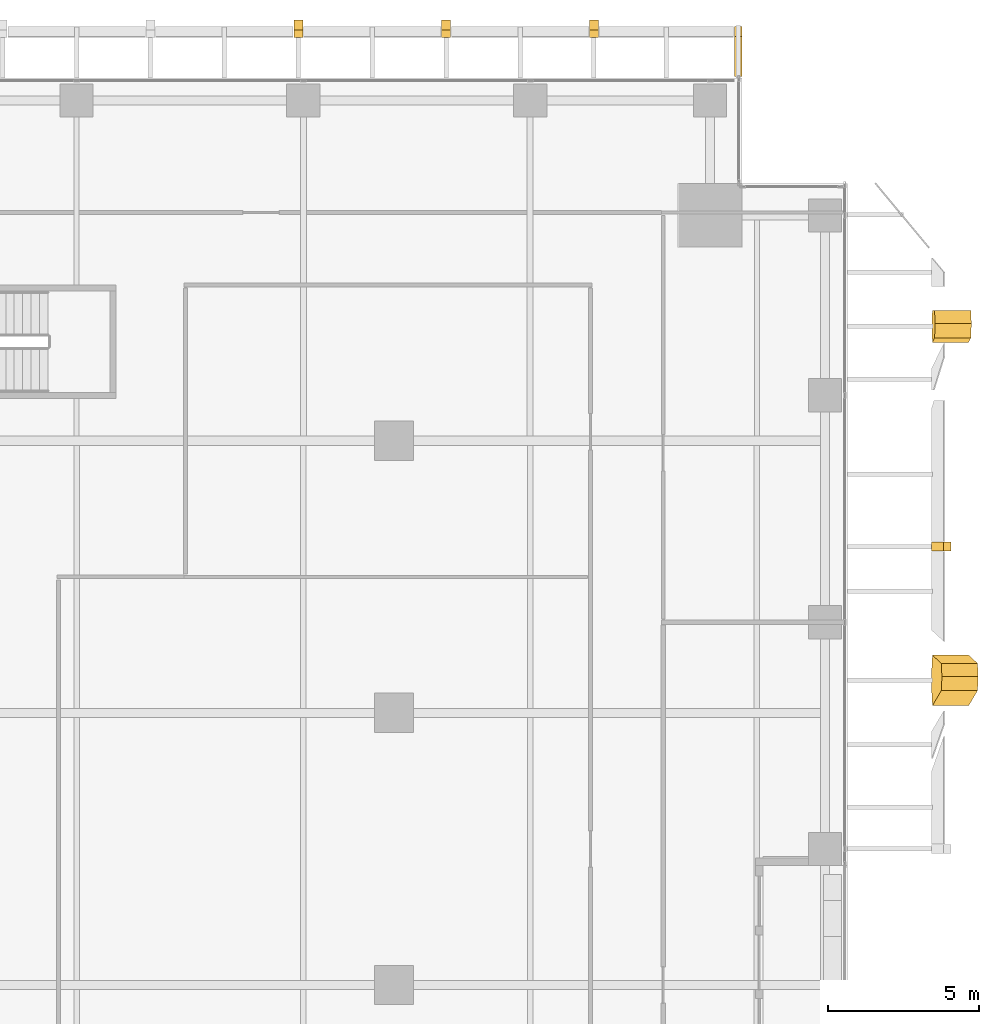
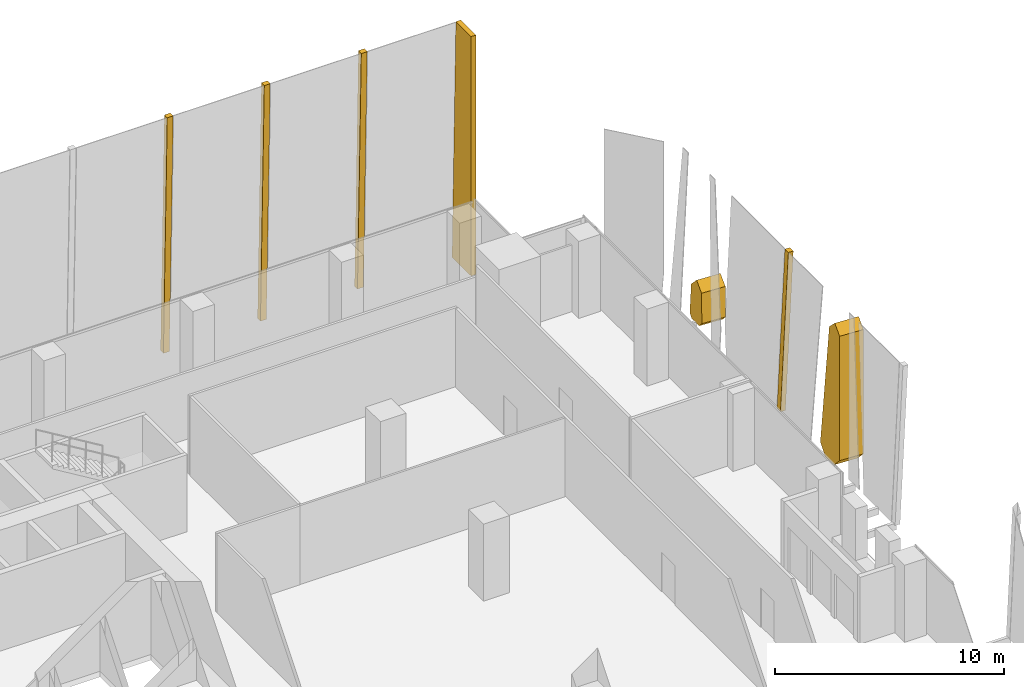
# One storey, part 35 of 36: 7 coverings.
"""IFC4 building model written with IfcOpenShell, lengths in metres."""

from ifc_helpers import new_model, si_unit, direction, frame, origin, place, context, subcontext, project, spatial, polyline, outline, extrude, material, layer, layer_set, type_object, element, save


model = new_model("IFC4")

# Units and contexts
model_context = context("Model", 3, precision=1e-05, world=origin(), true_north=direction((0.0, 1.0)))
body_context = subcontext(model_context, "Body", "Model", "MODEL_VIEW")
ifc_project = project(units=[si_unit("LENGTHUNIT", "METRE"), si_unit("AREAUNIT", "SQUARE_METRE"), si_unit("VOLUMEUNIT", "CUBIC_METRE"), si_unit("PLANEANGLEUNIT", "RADIAN"), si_unit("MASSUNIT", "GRAM", prefix="KILO")], contexts=[model_context])

# Site, building, storey
site_placement = place(None, origin())
site = spatial("IfcSite", under=ifc_project, at=site_placement, CompositionType="ELEMENT")
building_placement = place(site_placement, origin())
building = spatial("IfcBuilding", under=site, at=building_placement, Name="Khomas Fold Tower", CompositionType="ELEMENT")
storey_placement = place(building_placement, frame((0.0, 0.0, 141.10009765625)))
storey = spatial("IfcBuildingStorey", under=building, at=storey_placement, Name="L30", CompositionType="ELEMENT", Elevation=141.10009765625)

# Coverings
ifc_material_1 = material(Name="Natural stone cladding", Category="masonry")
ifc_layer_1 = layer(ifc_material_1, 0.25)
ifc_layer_set_1 = layer_set([ifc_layer_1], Name="Natural stone cladding")
covering_type_1 = type_object("IfcCoveringType", Name="SK-Karibib marble stone mullion", PredefinedType="CLADDING", material=ifc_layer_set_1)
covering_1_placement = place(storey_placement, frame((55.676025390625, 37.14990234375, 8.349853515625), z_axis=(-0.998875921393, 0.0, 0.047401409913), x_axis=(-0.047401409913, 0.0, -0.998875921393)))
element("IfcCovering", 1, at=covering_1_placement, inside=storey, type_object=covering_type_1, Name="OUTER SKIN mullion L30 EM105-12", PredefinedType="CLADDING", context=body_context, shape_type="SweptSolid", body=[
    extrude(outline(polyline([(0.0, 0.0), (8.359249969688234, 0.0), (8.359249969688234, 0.2998046875), (0.0, 0.2998046875), (0.0, 0.0)])), origin(), (0.0, 0.0, -1.0), 0.25),
])
for number, where, z_axis, x_axis, name in (
    (2, (34.183349609375, 54.412841796875, 0.00634765625), (0.0, 0.999657592188, 0.026166741891), (1.0, 0.0, 0.0), "OUTER SKIN mullion L30 N12"),
    (3, (39.072265625, 54.412841796875, 0.00634765625), (0.0, 0.999657592188, 0.026166741891), (1.0, 0.0, 0.0), "OUTER SKIN mullion L30 N14"),
    (4, (43.961181640625, 54.412841796875, 0.00634765625), (0.0, 0.999657592188, 0.026166741891), (1.0, 0.0, 0.0), "OUTER SKIN mullion L30 N16"),
):
    element("IfcCovering", number, at=place(storey_placement, frame(where, z_axis=z_axis, x_axis=x_axis)), inside=storey, type_object=covering_type_1, Name=name, PredefinedType="CLADDING", context=body_context, shape_type="SweptSolid", body=[
        extrude(outline(polyline([(0.0, 0.0), (0.300048828125, 0.0), (0.300048828125, -12.754367194966619), (0.0, -12.754367194966619), (0.0, 0.0)])), origin(), (0.0, 0.0, -1.0), 0.25),
    ])
covering_2_placement = place(storey_placement, frame((49.0, 52.550048828125, 0.0), z_axis=(1.0, 0.0, 0.0), x_axis=(0.0, 1.0, 0.0)))
element("IfcCovering", 5, at=covering_2_placement, inside=storey, type_object=covering_type_1, Name="OUTER SKIN return L30 N2", PredefinedType="CLADDING", context=body_context, shape_type="SweptSolid", body=[
    extrude(outline(polyline([(0.0, 0.0), (1.653076171875, 0.0), (1.319091796875, 12.75), (0.0, 12.75), (0.0, 0.0)])), origin(), (0.0, 0.0, -1.0), 0.25),
])
ifc_material_2 = material(Name="Natural stone cladding", Category="masonry")
ifc_layer_2 = layer(ifc_material_2, 1.199951171875)
ifc_layer_set_2 = layer_set([ifc_layer_2], Name="Natural stone cladding")
covering_type_2 = type_object("IfcCoveringType", Name="SK-Karibib marble stone panel", PredefinedType="CLADDING", material=ifc_layer_set_2)
covering_3_placement = place(storey_placement, frame((55.302734375, 31.73681640625, 0.486083984375), z_axis=(-0.998875220811, 4.6733741e-05, 0.047416147726), x_axis=(0.047266164977, 0.080462103631, 0.995636359083)))
element("IfcCovering", 6, at=covering_3_placement, inside=storey, type_object=covering_type_2, Name="OUTER SKIN leaf L30 ES09-2", PredefinedType="CLADDING", context=body_context, shape_type="SweptSolid", body=[
    extrude(outline(polyline([(0.0, 0.0), (6.247482101491653, -5.551115123125783e-17), (6.696928849875104, 0.421991910913468), (6.302926171287663, 0.8963944824121481), (0.11791955335635987, 1.667304618347214), (-0.3867486923511616, 1.2568735058606604), (-0.448961456560263, 0.4861870964531901), (0.0, 0.0)])), origin(), (0.0, 0.0, -1.0), 1.199951171875),
])
covering_4_placement = place(storey_placement, frame((55.375, 43.902099609375, 2.005126953125), z_axis=(-0.998871515847, -0.000130829016, 0.047493975552), x_axis=(0.030978802843, 0.756192912434, 0.653615018921)))
element("IfcCovering", 7, at=covering_4_placement, inside=storey, type_object=covering_type_2, Name="OUTER SKIN leaf L30 ES12-3", PredefinedType="CLADDING", context=body_context, shape_type="SweptSolid", body=[
    extrude(outline(polyline([(0.0, 0.0), (0.6211729163606223, 5.551115123125783e-17), (0.650550597983324, 0.6204756725932514), (-0.33975505758123703, 1.7649145152121832), (-0.6219427697615417, 1.7854497141036354), (-1.093824870391896, 1.377120769515023), (-1.1014453365424457, 1.0482674714756046), (0.0, 0.0)])), origin(), (0.0, 0.0, -1.0), 1.199951171875),
])

save(model, "model.ifc")
